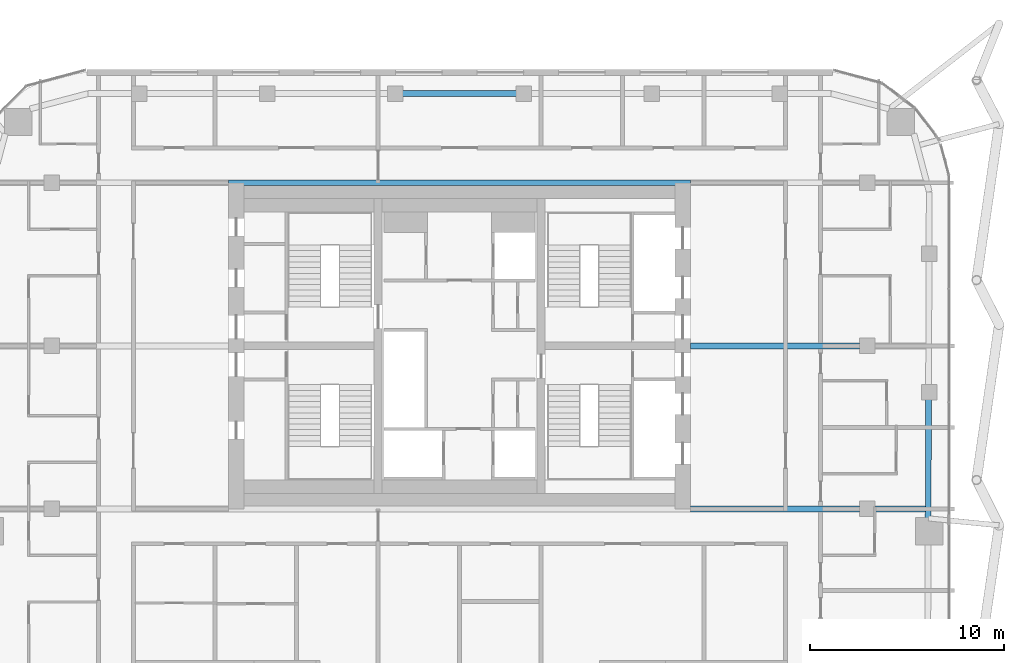
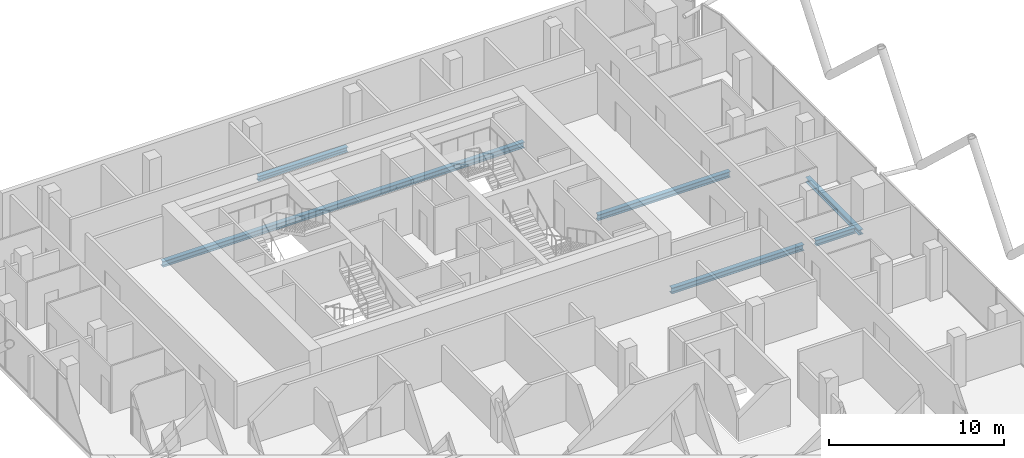
# One storey, part 11 of 33: 6 beams.
"""IFC4 building model written with IfcOpenShell, lengths in metres."""

from ifc_helpers import new_model, si_unit, direction, frame, origin, origin_2d, place, context, subcontext, project, spatial, i_section, extrude, material, material_profile, profile_set, type_object, element, save


model = new_model("IFC4")

# Units and contexts
model_context = context("Model", 3, precision=1e-05, world=origin(), true_north=direction((0.0, 1.0)))
body_context = subcontext(model_context, "Body", "Model", "MODEL_VIEW")
ifc_project = project(units=[si_unit("LENGTHUNIT", "METRE"), si_unit("AREAUNIT", "SQUARE_METRE"), si_unit("VOLUMEUNIT", "CUBIC_METRE"), si_unit("PLANEANGLEUNIT", "RADIAN"), si_unit("MASSUNIT", "GRAM", prefix="KILO")], contexts=[model_context])

# Site, building, storey
site_placement = place(None, origin())
site = spatial("IfcSite", under=ifc_project, at=site_placement, CompositionType="ELEMENT")
building_placement = place(site_placement, origin())
building = spatial("IfcBuilding", under=site, at=building_placement, Name="Marenta Gate Hotel Tower", CompositionType="ELEMENT")
storey_placement = place(building_placement, frame((0.0, 0.0, 248.89990234375)))
storey = spatial("IfcBuildingStorey", under=building, at=storey_placement, Name="L59", CompositionType="ELEMENT", Elevation=248.89990234375)

# Beams
ifc_material_1 = material(Name="Steel S355", Category="steel")
ifc_material_profile_1 = material_profile(ifc_material_1, i_section(OverallWidth=0.300048828125, OverallDepth=0.340087890625, WebThickness=0.011962890625, FlangeThickness=0.021484375, FilletRadius=0.027099609375, at=origin_2d()), Name="HEB 340")
ifc_profile_set_1 = profile_set([ifc_material_profile_1], Name="Steel S355")
beam_type_1 = type_object("IfcBeamType", Name="Edge beam HEB 340", PredefinedType="SPANDREL", material=ifc_profile_set_1)
beam_1_placement = place(storey_placement, frame((-2.94140625, 21.39990234375, -0.429931640625), z_axis=(1.0, 0.0, 0.0), x_axis=(0.0, 1.0, 0.0)))
element("IfcBeam", 1, at=beam_1_placement, inside=storey, type_object=beam_type_1, Name="L59-EB-16", PredefinedType="SPANDREL", context=body_context, shape_type="SweptSolid", body=[
    extrude(i_section(OverallWidth=0.300048828125, OverallDepth=0.340087890625, WebThickness=0.011962890625, FlangeThickness=0.021484375, FilletRadius=0.027099609375, at=origin_2d()), origin(), (0.0, 0.0, 1.0), 5.8828125),
])
beam_2_placement = place(storey_placement, frame((24.164306640625, 5.643310546875, -0.429931640625), z_axis=(-0.003303859048, -0.999994542243, 0.0), x_axis=(0.999994542243, -0.003303859048, 0.0)))
element("IfcBeam", 2, at=beam_2_placement, inside=storey, type_object=beam_type_1, Name="L59-EB-24", PredefinedType="SPANDREL", context=body_context, shape_type="SweptSolid", body=[
    extrude(i_section(OverallWidth=0.300048828125, OverallDepth=0.340087890625, WebThickness=0.011962890625, FlangeThickness=0.021484375, FilletRadius=0.027099609375, at=origin_2d()), origin(), (0.0, 0.0, 1.0), 6.13330078125),
])
ifc_material_2 = material(Name="Steel S355", Category="steel")
ifc_material_profile_2 = material_profile(ifc_material_2, i_section(OverallWidth=0.300048828125, OverallDepth=0.39990234375, WebThickness=0.013427734375, FlangeThickness=0.02392578125, FilletRadius=0.027099609375, at=origin_2d()), Name="HEB 400")
ifc_profile_set_2 = profile_set([ifc_material_profile_2], Name="Steel S355")
beam_type_2 = type_object("IfcBeamType", Name="Girder HEB 400", PredefinedType="BEAM", material=ifc_profile_set_2)
beam_3_placement = place(storey_placement, frame((11.89990234375, 0.0, -0.4599609375), z_axis=(1.0, 0.0, 0.0), x_axis=(0.0, 1.0, 0.0)))
element("IfcBeam", 3, at=beam_3_placement, inside=storey, type_object=beam_type_2, Name="L59-GD-23", PredefinedType="BEAM", context=body_context, shape_type="SweptSolid", body=[
    extrude(i_section(OverallWidth=0.300048828125, OverallDepth=0.39990234375, WebThickness=0.013427734375, FlangeThickness=0.02392578125, FilletRadius=0.027099609375, at=origin_2d()), origin(), (0.0, 0.0, 1.0), 8.7001953125),
])
beam_4_placement = place(storey_placement, frame((21.39990234375, 0.0, -0.4599609375), z_axis=(1.0, 0.0, 0.0), x_axis=(0.0, 1.0, 0.0)))
element("IfcBeam", 4, at=beam_4_placement, inside=storey, type_object=beam_type_2, Name="L59-GD-24", PredefinedType="BEAM", context=body_context, shape_type="SweptSolid", body=[
    extrude(i_section(OverallWidth=0.300048828125, OverallDepth=0.39990234375, WebThickness=0.013427734375, FlangeThickness=0.02392578125, FilletRadius=0.027099609375, at=origin_2d()), origin(), (0.0, 0.0, 1.0), 2.595703125),
])
beam_5_placement = place(storey_placement, frame((11.89990234375, 8.39990234375, -0.4599609375), z_axis=(1.0, 0.0, 0.0), x_axis=(0.0, 1.0, 0.0)))
element("IfcBeam", 5, at=beam_5_placement, inside=storey, type_object=beam_type_2, Name="L59-GD-27", PredefinedType="BEAM", context=body_context, shape_type="SweptSolid", body=[
    extrude(i_section(OverallWidth=0.300048828125, OverallDepth=0.39990234375, WebThickness=0.013427734375, FlangeThickness=0.02392578125, FilletRadius=0.027099609375, at=origin_2d()), origin(), (0.0, 0.0, 1.0), 8.7001953125),
])
beam_6_placement = place(storey_placement, frame((-11.89990234375, 16.800048828125, -0.4599609375), z_axis=(1.0, 0.0, 0.0), x_axis=(0.0, 1.0, 0.0)))
element("IfcBeam", 6, at=beam_6_placement, inside=storey, type_object=beam_type_2, Name="L59-GD-31", PredefinedType="BEAM", context=body_context, shape_type="SweptSolid", body=[
    extrude(i_section(OverallWidth=0.300048828125, OverallDepth=0.39990234375, WebThickness=0.013427734375, FlangeThickness=0.02392578125, FilletRadius=0.027099609375, at=origin_2d()), origin(), (0.0, 0.0, 1.0), 23.7998046875),
])

save(model, "model.ifc")
